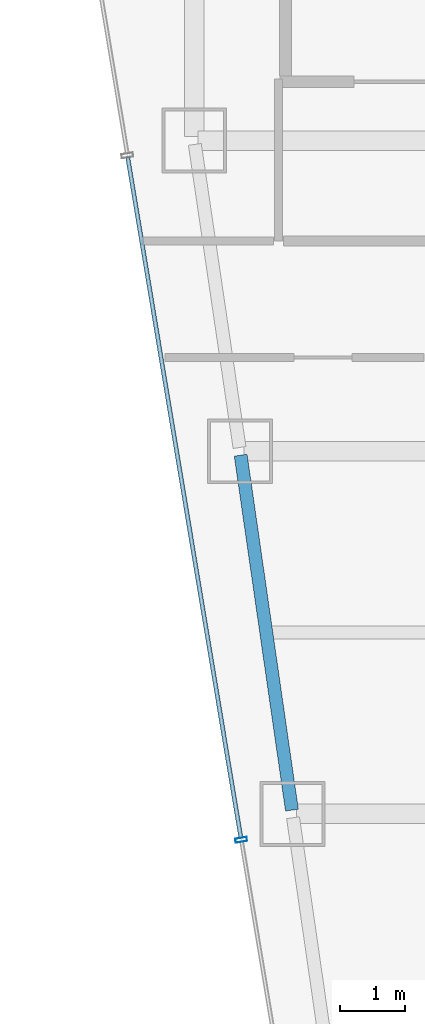
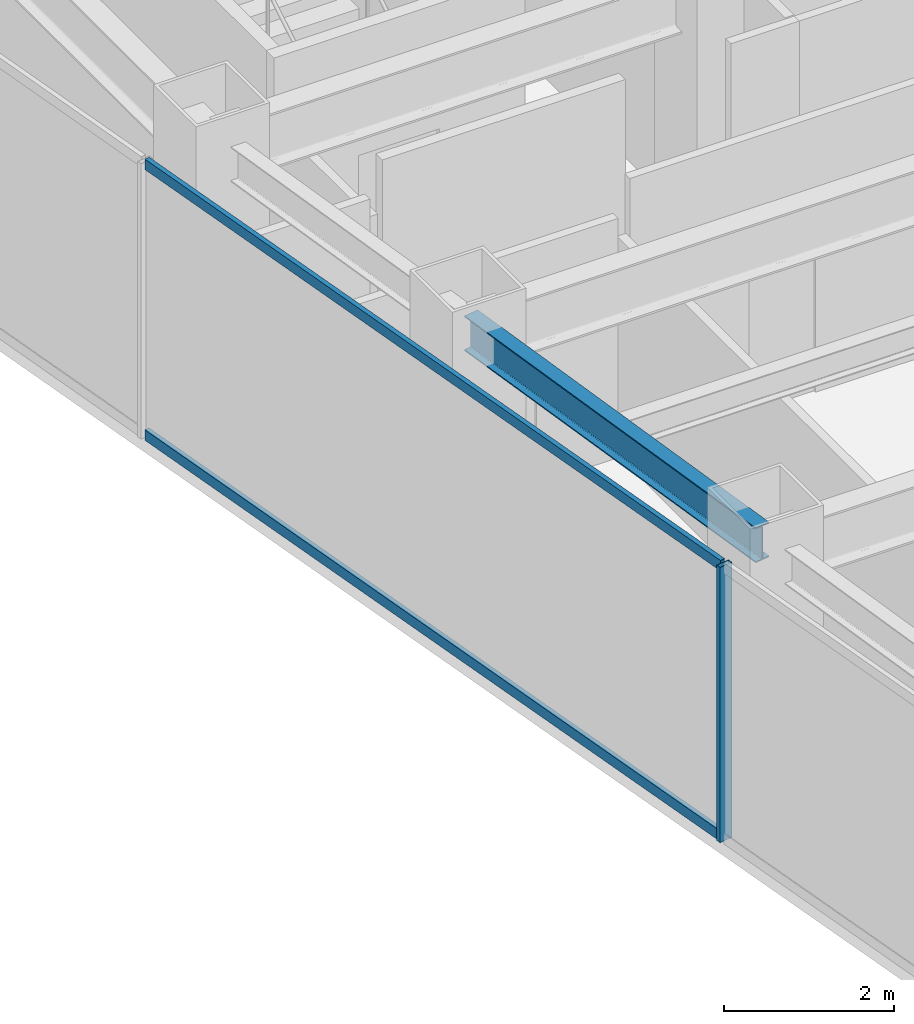
# One storey, part 9 of 36: 3 members, 1 beam, 1 element without a shape of its own.
"""IFC4 building model written with IfcOpenShell, lengths in metres."""

from ifc_helpers import new_model, si_unit, direction, frame, origin, origin_2d, place, context, subcontext, project, spatial, hollow_rectangle, i_section, extrude, material, material_profile, profile_set, type_object, element, aggregate, save


model = new_model("IFC4")

# Units and contexts
model_context = context("Model", 3, precision=1e-05, world=origin(), true_north=direction((0.0, 1.0)))
body_context = subcontext(model_context, "Body", "Model", "MODEL_VIEW")
ifc_project = project(units=[si_unit("LENGTHUNIT", "METRE"), si_unit("AREAUNIT", "SQUARE_METRE"), si_unit("VOLUMEUNIT", "CUBIC_METRE"), si_unit("PLANEANGLEUNIT", "RADIAN"), si_unit("MASSUNIT", "GRAM", prefix="KILO")], contexts=[model_context])

# Site, building, storey
site_placement = place(None, origin())
site = spatial("IfcSite", under=ifc_project, at=site_placement, CompositionType="ELEMENT")
building_placement = place(site_placement, origin())
building = spatial("IfcBuilding", under=site, at=building_placement, Name="Saevonmaru Cultural Tower", CompositionType="ELEMENT")
storey_placement = place(building_placement, frame((0.0, 0.0, 119.199951171875)))
storey = spatial("IfcBuildingStorey", under=building, at=storey_placement, Name="L25", CompositionType="ELEMENT", Elevation=119.199951171875)

# Beam
ifc_material_1 = material(Name="Steel SM355", Category="steel")
ifc_material_profile_1 = material_profile(ifc_material_1, i_section(OverallWidth=0.199951171875, OverallDepth=0.5, WebThickness=0.010009765625, FlangeThickness=0.01611328125, FilletRadius=0.02001953125, at=origin_2d()), Name="H-500x200x10x16")
ifc_profile_set_1 = profile_set([ifc_material_profile_1], Name="Steel SM355")
beam_type = type_object("IfcBeamType", Name="BM-SP-H500", PredefinedType="SPANDREL", material=ifc_profile_set_1)
beam_placement = place(storey_placement, frame((8.308349609375, 32.059326171875, 3.699951171875), z_axis=(-0.142964121327, 0.989727871697, 0.0), x_axis=(-0.989727871697, -0.142964121327, 0.0)))
element("IfcBeam", 1, at=beam_placement, inside=storey, type_object=beam_type, Name="L25 West Splayed Spandrel 4", PredefinedType="SPANDREL", context=body_context, shape_type="SweptSolid", body=[
    extrude(i_section(OverallWidth=0.199951171875, OverallDepth=0.5, WebThickness=0.010009765625, FlangeThickness=0.01611328125, FilletRadius=0.02001953125, at=origin_2d()), origin(), (0.0, 0.0, 1.0), 5.5380859375),
])

# Curtain wall, members
ifc_material_2 = material(Name="Satin Bronze Anodised Aluminium", Category="aluminium")
curtain_wall_type = type_object("IfcCurtainWallType", Name="CW-TYP-A", PredefinedType="NOTDEFINED", material=ifc_material_2)
curtain_wall_placement = place(storey_placement, origin())
curtain_wall = element("IfcCurtainWall", 2, at=curtain_wall_placement, inside=storey, type_object=curtain_wall_type, Name="L25 Unitised Curtain Wall E12", PredefinedType="NOTDEFINED")
ifc_material_profile_2 = material_profile(ifc_material_2, hollow_rectangle(XDim=0.06494140625, YDim=0.179931640625, WallThickness=0.00390625, at=origin_2d()), Name="ALU-MULL-180x65x4")
ifc_profile_set_2 = profile_set([ifc_material_profile_2], Name="Satin Bronze Anodised Aluminium")
member_type_1 = type_object("IfcMemberType", Name="ML-CW-180x65", PredefinedType="MULLION", material=ifc_profile_set_2)
member_1_placement = place(storey_placement, frame((7.5244140625, 31.60009765625, 0.0), z_axis=(0.0, 0.0, 1.0), x_axis=(0.163998702345, -0.986460554523, 0.0)))
member_1 = element("IfcMember", 3, at=member_1_placement, type_object=member_type_1, Name="CW-TW-L25-E12 mullion 3", PredefinedType="MULLION", context=body_context, shape_type="SweptSolid", body=[
    extrude(hollow_rectangle(XDim=0.06494140625, YDim=0.179931640625, WallThickness=0.00390625, at=origin_2d()), origin(), (0.0, 0.0, 1.0), 3.949951171875),
])
ifc_material_profile_3 = material_profile(ifc_material_2, hollow_rectangle(XDim=0.06494140625, YDim=0.14990234375, WallThickness=0.00390625, at=origin_2d()), Name="ALU-TRAN-150x65x4")
ifc_profile_set_3 = profile_set([ifc_material_profile_3], Name="Satin Bronze Anodised Aluminium")
member_type_2 = type_object("IfcMemberType", Name="TR-CW-150x65", PredefinedType="USERDEFINED", material=ifc_profile_set_3)
member_2_placement = place(storey_placement, frame((5.7724609375, 42.138427734375, 0.032470703125), z_axis=(0.163990079074, -0.9864619881, 0.0), x_axis=(0.9864619881, 0.163990079074, 0.0)))
member_2 = element("IfcMember", 4, at=member_2_placement, type_object=member_type_2, Name="CW-TW-L25-E12 transom 2.1", ObjectType="TRANSOM", PredefinedType="USERDEFINED", context=body_context, shape_type="SweptSolid", body=[
    extrude(hollow_rectangle(XDim=0.06494140625, YDim=0.14990234375, WallThickness=0.00390625, at=origin_2d()), origin(), (0.0, 0.0, 1.0), 10.650634765625),
])
member_3_placement = place(storey_placement, frame((5.7724609375, 42.138427734375, 3.91748046875), z_axis=(0.163990079074, -0.9864619881, 0.0), x_axis=(0.9864619881, 0.163990079074, 0.0)))
member_3 = element("IfcMember", 5, at=member_3_placement, type_object=member_type_2, Name="CW-TW-L25-E12 transom 2.2", ObjectType="TRANSOM", PredefinedType="USERDEFINED", context=body_context, shape_type="SweptSolid", body=[
    extrude(hollow_rectangle(XDim=0.06494140625, YDim=0.14990234375, WallThickness=0.00390625, at=origin_2d()), origin(), (0.0, 0.0, 1.0), 10.650634765625),
])
aggregate(curtain_wall, [member_1, member_2, member_3])

save(model, "model.ifc")
